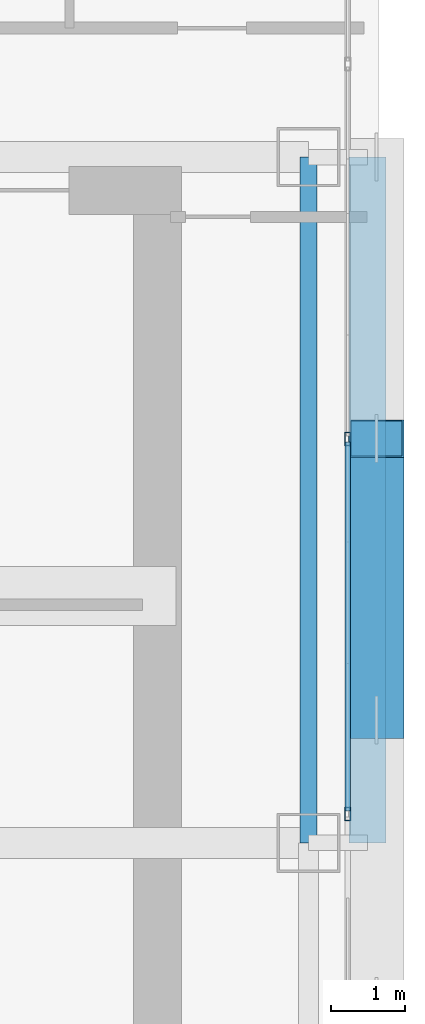
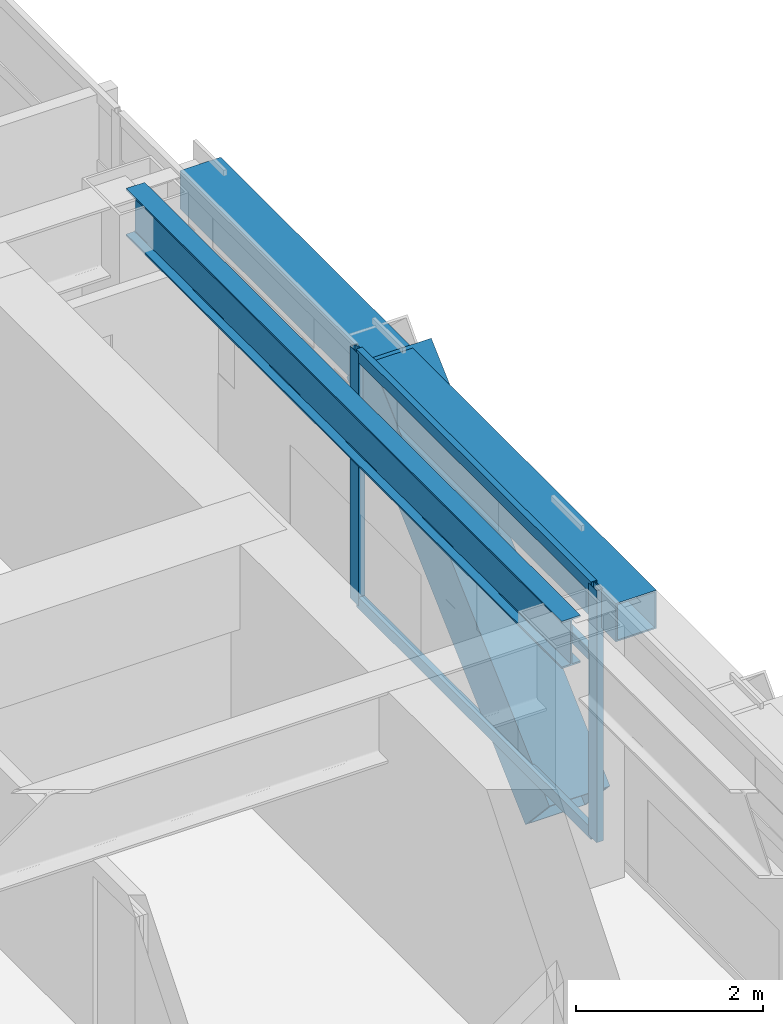
# One storey, part 15 of 36: 6 members, 2 beams, 1 element without a shape of its own.
"""IFC4 building model written with IfcOpenShell, lengths in metres."""

from ifc_helpers import new_model, si_unit, direction, frame, origin, origin_2d, place, context, subcontext, project, spatial, hollow_rectangle, i_section, extrude, source, transform, mapped, material, layer, layer_set, material_profile, profile_set, type_object, element, aggregate, save


model = new_model("IFC4")

# Units and contexts
model_context = context("Model", 3, precision=1e-05, world=origin(), true_north=direction((0.0, 1.0)))
body_context = subcontext(model_context, "Body", "Model", "MODEL_VIEW")
ifc_project = project(units=[si_unit("LENGTHUNIT", "METRE"), si_unit("AREAUNIT", "SQUARE_METRE"), si_unit("VOLUMEUNIT", "CUBIC_METRE"), si_unit("PLANEANGLEUNIT", "RADIAN"), si_unit("MASSUNIT", "GRAM", prefix="KILO")], contexts=[model_context])

# Site, building, storey
site_placement = place(None, origin())
site = spatial("IfcSite", under=ifc_project, at=site_placement, CompositionType="ELEMENT")
building_placement = place(site_placement, origin())
building = spatial("IfcBuilding", under=site, at=building_placement, Name="Ocotamira Hotel", CompositionType="ELEMENT")
storey_placement = place(building_placement, frame((0.0, 0.0, 147.60009765625)))
storey = spatial("IfcBuildingStorey", under=building, at=storey_placement, Name="L37", CompositionType="ELEMENT", Elevation=147.60009765625)

# Beams
ifc_material_1 = material(Name="Steel ASTM A992 Grade 50", Category="steel")
ifc_material_profile_1 = material_profile(ifc_material_1, i_section(OverallWidth=0.22998046875, OverallDepth=0.616943359375, WebThickness=0.01318359375, FlangeThickness=0.022216796875, FilletRadius=0.012939453125, at=origin_2d()), Name="W24X94")
ifc_profile_set_1 = profile_set([ifc_material_profile_1], Name="Steel ASTM A992 Grade 50")
beam_type_1 = type_object("IfcBeamType", Name="BM-PRIM-W24X94", PredefinedType="BEAM", material=ifc_profile_set_1)
shared_shape_1 = source(origin(), body_context, "Body", "SweptSolid", [
    extrude(i_section(OverallWidth=0.22998046875, OverallDepth=0.616943359375, WebThickness=0.01318359375, FlangeThickness=0.022216796875, FilletRadius=0.012939453125, at=origin_2d()), origin(), (0.0, 0.0, 1.0), 9.300048828125),
])
beam_1_placement = place(storey_placement, frame((55.050048828125, 28.14990234375, 2.971435546875), z_axis=(0.0, 1.0, 0.0), x_axis=(-1.0, 0.0, 0.0)))
element("IfcBeam", 1, at=beam_1_placement, inside=storey, type_object=beam_type_1, Name="L37 Beam X55.05 Y28.15-37.45", PredefinedType="BEAM", context=body_context, shape_type="MappedRepresentation", body=[
    mapped(shared_shape_1, transform((0.0, 0.0, 0.0), scale=1.0)),
])
ifc_material_2 = material(Name="Steel ASTM A500 Grade C", Category="steel")
ifc_material_profile_2 = material_profile(ifc_material_2, hollow_rectangle(XDim=0.5, YDim=0.5, WallThickness=0.02001953125, at=origin_2d()), Name="HSS500X500X20")
ifc_profile_set_2 = profile_set([ifc_material_profile_2], Name="Steel ASTM A500 Grade C")
beam_type_2 = type_object("IfcBeamType", Name="BM-SPAN-HSS500", PredefinedType="USERDEFINED", material=ifc_profile_set_2)
shared_shape_2 = source(origin(), body_context, "Body", "SweptSolid", [
    extrude(hollow_rectangle(XDim=0.5, YDim=0.5, WallThickness=0.02001953125, at=origin_2d()), origin(), (0.0, 0.0, 1.0), 9.300048828125),
])
beam_2_placement = place(storey_placement, frame((55.85009765625, 28.14990234375, 3.02978515625), z_axis=(0.0, 1.0, 0.0), x_axis=(-1.0, 0.0, 0.0)))
element("IfcBeam", 2, at=beam_2_placement, inside=storey, type_object=beam_type_2, Name="L37 Edge Spandrel E Y28.15-37.45", ObjectType="SPANDREL", PredefinedType="USERDEFINED", context=body_context, shape_type="MappedRepresentation", body=[
    mapped(shared_shape_2, transform((0.0, 0.0, 0.0), scale=1.0)),
])

# Member
ifc_material_3 = material(Name="Pale-metal coated steel ASTM A913 Grade 65", Category="steel")
ifc_material_profile_3 = material_profile(ifc_material_3, hollow_rectangle(XDim=0.75, YDim=0.75, WallThickness=0.028076171875, at=origin_2d()), Name="BOX750X750X28")
ifc_profile_set_3 = profile_set([ifc_material_profile_3], Name="Pale-metal coated steel ASTM A913 Grade 65")
member_type_1 = type_object("IfcMemberType", Name="MEM-EXO-BOX750", PredefinedType="BRACE", material=ifc_profile_set_3)
shared_shape_3 = source(origin(), body_context, "Body", "SweptSolid", [
    extrude(hollow_rectangle(XDim=0.75, YDim=0.75, WallThickness=0.028076171875, at=origin_2d()), origin(), (0.0, 0.0, 1.0), 5.19189453125),
])
member_1_placement = place(storey_placement, frame((55.969970703125, 29.816650390625, -0.489990234375), z_axis=(0.0, 0.735118858477, 0.677938244909), x_axis=(-1.0, 0.0, 0.0)))
element("IfcMember", 3, at=member_1_placement, inside=storey, type_object=member_type_1, Name="L37 Exoskeleton Diagrid E2.1", PredefinedType="BRACE", context=body_context, shape_type="MappedRepresentation", body=[
    mapped(shared_shape_3, transform((0.0, 0.0, 0.0), scale=1.0)),
])

# Curtain wall, members
ifc_material_4 = material(Name="Anodised pale-metal aluminium and solar glass", Category="aluminium")
ifc_layer = layer(ifc_material_4, 0.179931640625)
ifc_layer_set = layer_set([ifc_layer], Name="Anodised pale-metal aluminium and solar glass")
curtain_wall_type = type_object("IfcCurtainWallType", Name="CW-SYS3-Z2", PredefinedType="NOTDEFINED", material=ifc_layer_set)
curtain_wall_placement = place(storey_placement, origin())
curtain_wall = element("IfcCurtainWall", 4, at=curtain_wall_placement, inside=storey, type_object=curtain_wall_type, Name="L37 Curtain Wall CW-3 CW-L37-E", PredefinedType="NOTDEFINED")
ifc_material_5 = material(Name="Anodised pale-metal aluminium 6063-T6", Category="aluminium")
ifc_material_profile_4 = material_profile(ifc_material_5, hollow_rectangle(XDim=0.074951171875, YDim=0.14990234375, WallThickness=0.006103515625, at=origin_2d()), Name="HSS150X75X6")
ifc_profile_set_4 = profile_set([ifc_material_profile_4], Name="Anodised pale-metal aluminium 6063-T6")
member_type_2 = type_object("IfcMemberType", Name="CWT-150X75", PredefinedType="USERDEFINED", material=ifc_profile_set_4)
shared_shape_4 = source(origin(), body_context, "Body", "SweptSolid", [
    extrude(hollow_rectangle(XDim=0.074951171875, YDim=0.14990234375, WallThickness=0.006103515625, at=origin_2d()), origin(), (0.0, 0.0, 1.0), 5.005859375),
])
member_2_placement = place(storey_placement, frame((55.580078125, 28.582763671875, 0.037353515625), z_axis=(0.0, 1.0, 0.0), x_axis=(-1.0, 0.0, 0.0)))
member_2 = element("IfcMember", 5, at=member_2_placement, type_object=member_type_2, Name="CW-3 transom 5.1", ObjectType="TRANSOM", PredefinedType="USERDEFINED", context=body_context, shape_type="MappedRepresentation", body=[
    mapped(shared_shape_4, transform((0.0, 0.0, 0.0), scale=1.0)),
])
member_3_placement = place(storey_placement, frame((55.580078125, 28.582763671875, 2.349853515625), z_axis=(0.0, 1.0, 0.0), x_axis=(-1.0, 0.0, 0.0)))
member_3 = element("IfcMember", 6, at=member_3_placement, type_object=member_type_2, Name="CW-3 transom 5.2", ObjectType="TRANSOM", PredefinedType="USERDEFINED", context=body_context, shape_type="MappedRepresentation", body=[
    mapped(shared_shape_4, transform((0.0, 0.0, 0.0), scale=1.0)),
])
member_4_placement = place(storey_placement, frame((55.580078125, 28.582763671875, 3.242431640625), z_axis=(0.0, 1.0, 0.0), x_axis=(-1.0, 0.0, 0.0)))
member_4 = element("IfcMember", 7, at=member_4_placement, type_object=member_type_2, Name="CW-3 transom 5.3", ObjectType="TRANSOM", PredefinedType="USERDEFINED", context=body_context, shape_type="MappedRepresentation", body=[
    mapped(shared_shape_4, transform((0.0, 0.0, 0.0), scale=1.0)),
])
ifc_material_profile_5 = material_profile(ifc_material_5, hollow_rectangle(XDim=0.080078125, YDim=0.179931640625, WallThickness=0.006103515625, at=origin_2d()), Name="HSS180X80X6")
ifc_profile_set_5 = profile_set([ifc_material_profile_5], Name="Anodised pale-metal aluminium 6063-T6")
member_type_3 = type_object("IfcMemberType", Name="CWM-180X75", PredefinedType="MULLION", material=ifc_profile_set_5)
shared_shape_5 = source(origin(), body_context, "Body", "SweptSolid", [
    extrude(hollow_rectangle(XDim=0.080078125, YDim=0.179931640625, WallThickness=0.006103515625, at=origin_2d()), origin(), (0.0, 0.0, 1.0), 3.27978515625),
])
member_5_placement = place(storey_placement, frame((55.580078125, 28.54296875, 0.0), z_axis=(0.0, 0.0, 1.0), x_axis=(-1.0, 0.0, 0.0)))
member_5 = element("IfcMember", 8, at=member_5_placement, type_object=member_type_3, Name="CW-3 mullion 5", PredefinedType="MULLION", context=body_context, shape_type="MappedRepresentation", body=[
    mapped(shared_shape_5, transform((0.0, 0.0, 0.0), scale=1.0)),
])
member_6_placement = place(storey_placement, frame((55.580078125, 33.628662109375, 0.0), z_axis=(0.0, 0.0, 1.0), x_axis=(-1.0, 0.0, 0.0)))
member_6 = element("IfcMember", 9, at=member_6_placement, type_object=member_type_3, Name="CW-3 mullion 6", PredefinedType="MULLION", context=body_context, shape_type="MappedRepresentation", body=[
    mapped(shared_shape_5, transform((0.0, 0.0, 0.0), scale=1.0)),
])
aggregate(curtain_wall, [member_5, member_6, member_2, member_3, member_4])

save(model, "model.ifc")
